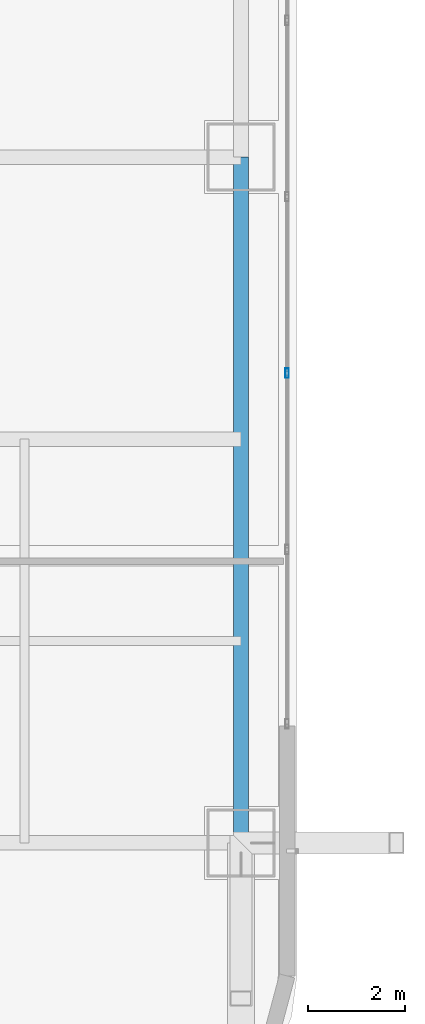
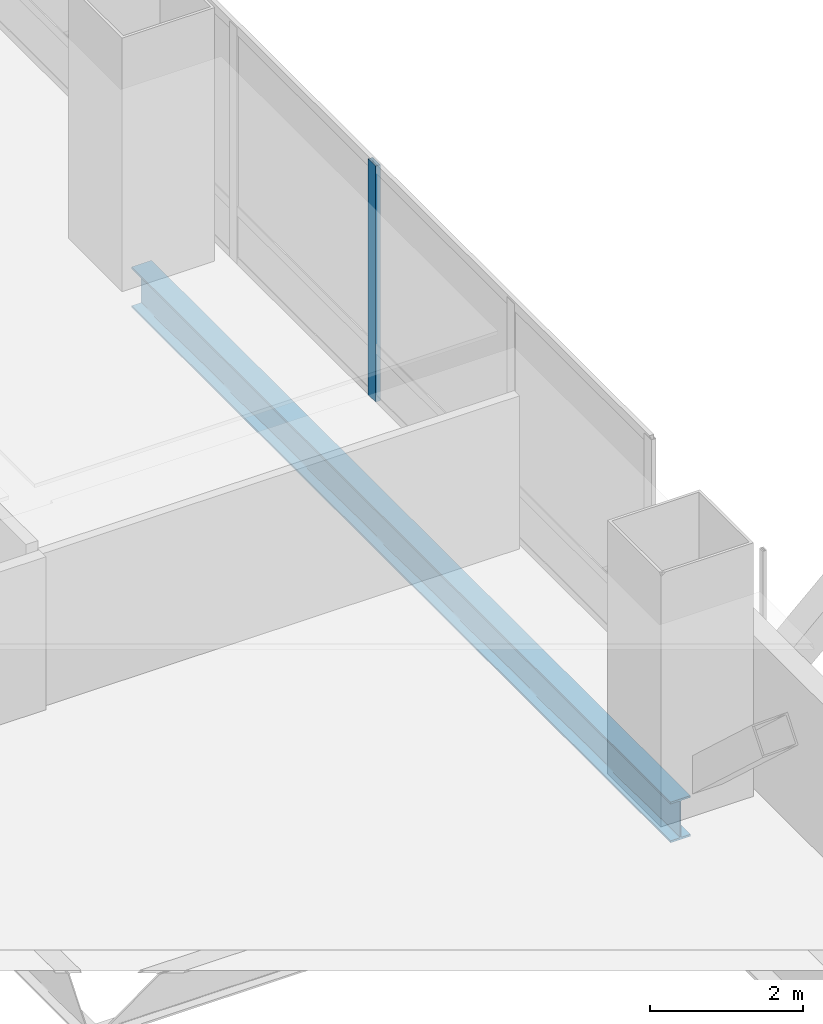
# One storey, part 15 of 46: 1 beam, 1 member, 1 element without a shape of its own.
"""IFC4 building model written with IfcOpenShell, lengths in metres."""

from ifc_helpers import new_model, si_unit, direction, frame, origin, origin_2d, place, context, subcontext, project, spatial, hollow_rectangle, i_section, extrude, material, material_profile, profile_set, type_object, element, aggregate, save


model = new_model("IFC4")

# Units and contexts
model_context = context("Model", 3, precision=1e-05, world=origin(), true_north=direction((0.0, 1.0)))
body_context = subcontext(model_context, "Body", "Model", "MODEL_VIEW")
ifc_project = project(units=[si_unit("LENGTHUNIT", "METRE"), si_unit("AREAUNIT", "SQUARE_METRE"), si_unit("VOLUMEUNIT", "CUBIC_METRE"), si_unit("PLANEANGLEUNIT", "RADIAN"), si_unit("MASSUNIT", "GRAM", prefix="KILO")], contexts=[model_context])

# Site, building, storey
site_placement = place(None, origin())
site = spatial("IfcSite", under=ifc_project, at=site_placement, CompositionType="ELEMENT")
building_placement = place(site_placement, origin())
building = spatial("IfcBuilding", under=site, at=building_placement, Name="Punatoya Terracotta Tower", CompositionType="ELEMENT")
storey_placement = place(building_placement, frame((0.0, 0.0, 200.550048828125)))
storey = spatial("IfcBuildingStorey", under=building, at=storey_placement, Name="L47", CompositionType="ELEMENT", Elevation=200.550048828125)

# Beam
ifc_material_1 = material(Name="Steel S355", Category="steel")
ifc_material_profile_1 = material_profile(ifc_material_1, i_section(OverallWidth=0.300048828125, OverallDepth=0.64990234375, WebThickness=0.01611328125, FlangeThickness=0.031005859375, FilletRadius=0.01806640625, at=origin_2d()))
ifc_profile_set_1 = profile_set([ifc_material_profile_1], Name="Steel S355")
beam_type = type_object("IfcBeamType", Name="BM-PRI-650", PredefinedType="BEAM", material=ifc_profile_set_1)
beam_placement = place(storey_placement, frame((19.10009765625, -17.5, -0.545166015625), z_axis=(0.0, 1.0, 0.0), x_axis=(-1.0, 0.0, 0.0)))
element("IfcBeam", 1, at=beam_placement, inside=storey, type_object=beam_type, Name="BM-L47-RG-E1", PredefinedType="BEAM", context=body_context, shape_type="SweptSolid", body=[
    extrude(i_section(OverallWidth=0.300048828125, OverallDepth=0.64990234375, WebThickness=0.01611328125, FlangeThickness=0.031005859375, FilletRadius=0.01806640625, at=origin_2d()), origin(), (0.0, 0.0, 1.0), 14.10009765625),
])

# Curtain wall, member
ifc_material_2 = material(Name="Aluminium 6063-T6 + Double Low-E Glass", Category="aluminium")
curtain_wall_type = type_object("IfcCurtainWallType", Name="CW-M2", PredefinedType="NOTDEFINED", material=ifc_material_2)
curtain_wall_placement = place(storey_placement, origin())
curtain_wall = element("IfcCurtainWall", 2, at=curtain_wall_placement, inside=storey, type_object=curtain_wall_type, Name="L47 Curtain Wall CW-L47-E05-1", PredefinedType="NOTDEFINED")
ifc_material_3 = material(Name="Aluminium 6063-T6", Category="aluminium")
ifc_material_profile_2 = material_profile(ifc_material_3, hollow_rectangle(XDim=0.072021484375, YDim=0.195068359375, WallThickness=0.00439453125, at=origin_2d()))
ifc_profile_set_2 = profile_set([ifc_material_profile_2], Name="Aluminium 6063-T6")
member_type = type_object("IfcMemberType", Name="CW-MUL-M2", PredefinedType="MULLION", material=ifc_profile_set_2)
member_placement = place(storey_placement, frame((20.050048828125, -7.843017578125, 0.0), z_axis=(0.0, 0.0, 1.0), x_axis=(1.0, 0.0, 0.0)))
member = element("IfcMember", 3, at=member_placement, type_object=member_type, Name="CW-L47-E05-1 Mullion 02", PredefinedType="MULLION", context=body_context, shape_type="SweptSolid", body=[
    extrude(hollow_rectangle(XDim=0.072021484375, YDim=0.195068359375, WallThickness=0.00439453125, at=origin_2d()), origin(), (0.0, 0.0, 1.0), 3.77001953125),
])
aggregate(curtain_wall, [member])

save(model, "model.ifc")
